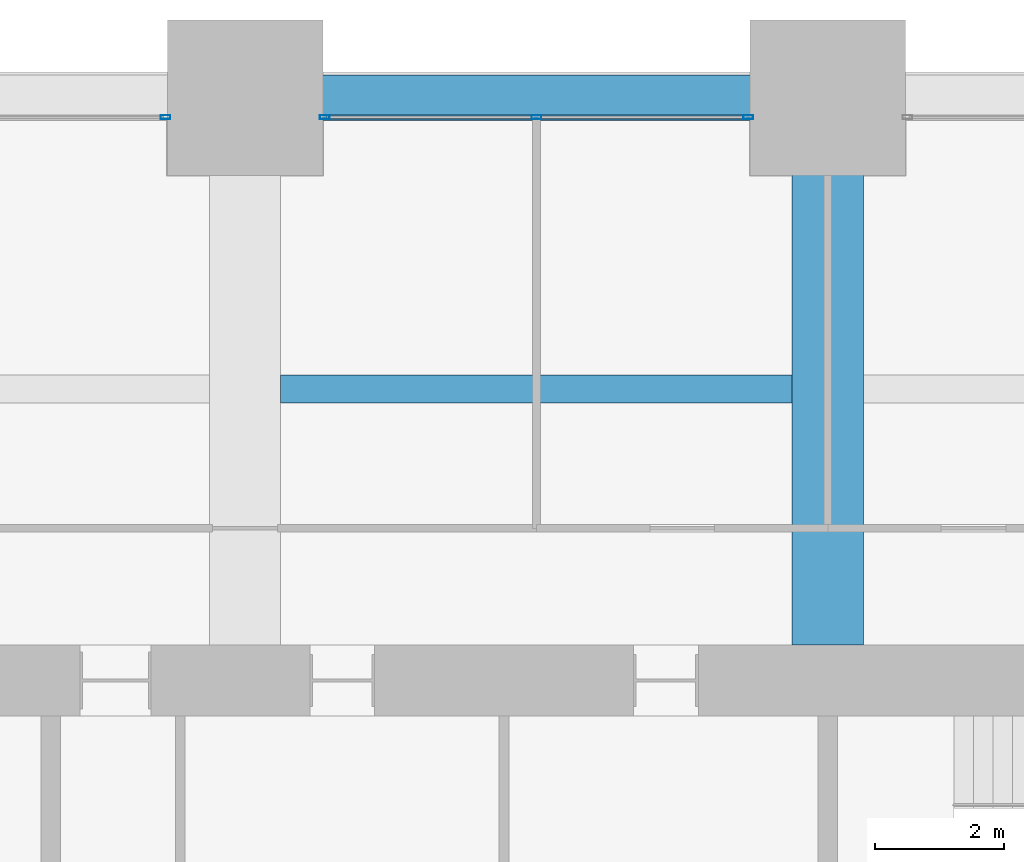
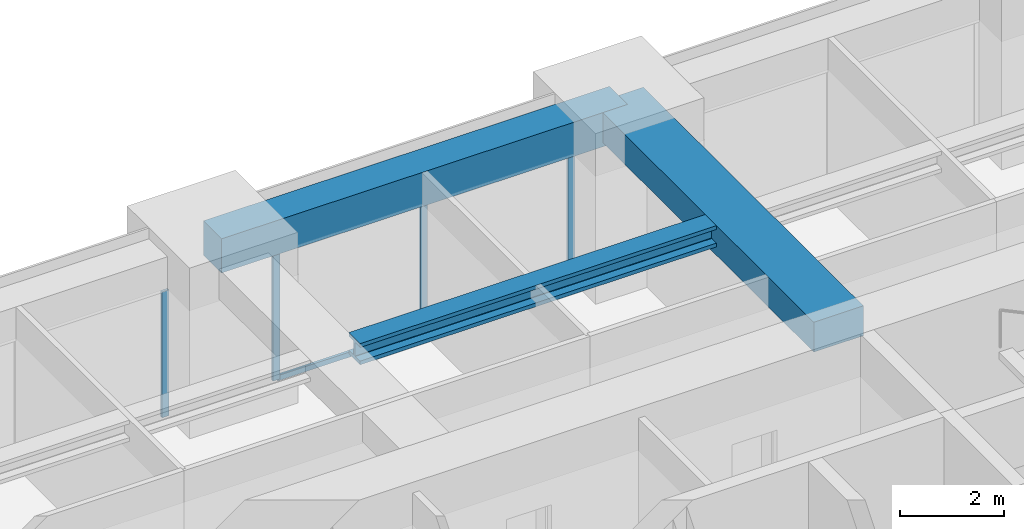
# One storey, part 29 of 41: 5 members, 3 beams, 2 elements without a shape of their own.
"""IFC4 building model written with IfcOpenShell, lengths in metres."""

from ifc_helpers import new_model, si_unit, direction, frame, origin, origin_2d, place, context, subcontext, project, spatial, rectangle, hollow_rectangle, i_section, extrude, material, material_profile, profile_set, type_object, element, aggregate, save


model = new_model("IFC4")

# Units and contexts
model_context = context("Model", 3, precision=1e-05, world=origin(), true_north=direction((0.0, 1.0)))
body_context = subcontext(model_context, "Body", "Model", "MODEL_VIEW")
ifc_project = project(units=[si_unit("LENGTHUNIT", "METRE"), si_unit("AREAUNIT", "SQUARE_METRE"), si_unit("VOLUMEUNIT", "CUBIC_METRE"), si_unit("PLANEANGLEUNIT", "RADIAN"), si_unit("MASSUNIT", "GRAM", prefix="KILO")], contexts=[model_context])

# Site, building, storey
site_placement = place(None, origin())
site = spatial("IfcSite", under=ifc_project, at=site_placement, CompositionType="ELEMENT")
building_placement = place(site_placement, origin())
building = spatial("IfcBuilding", under=site, at=building_placement, Name="Zorevar Civic Tower", CompositionType="ELEMENT")
storey_placement = place(building_placement, frame((0.0, 0.0, 109.0)))
storey = spatial("IfcBuildingStorey", under=building, at=storey_placement, Name="L26", CompositionType="ELEMENT", Elevation=109.0)

# Beam
ifc_material_1 = material(Name="Concrete C50/60", Category="concrete")
ifc_material_profile_1 = material_profile(ifc_material_1, rectangle(XDim=1.10009765625, YDim=0.699951171875, at=origin_2d()), Name="RC 1100x700")
ifc_profile_set_1 = profile_set([ifc_material_profile_1], Name="Concrete C50/60")
beam_type_1 = type_object("IfcBeamType", Name="Beam RC 1100x700", PredefinedType="BEAM", material=ifc_profile_set_1)
beam_1_placement = place(storey_placement, frame((36.0, 36.550048828125, 3.39990234375), z_axis=(0.0, 1.0, 0.0), x_axis=(-1.0, 0.0, 0.0)))
element("IfcBeam", 1, at=beam_1_placement, inside=storey, type_object=beam_type_1, Name="Girder L27", PredefinedType="BEAM", context=body_context, shape_type="SweptSolid", body=[
    extrude(rectangle(XDim=1.10009765625, YDim=0.699951171875, at=origin_2d()), origin(), (0.0, 0.0, 1.0), 8.449951171875),
])

# Curtain wall, member
ifc_material_2 = material(Name="Dark grey solar-control glass in black aluminium frame", Category="aluminium")
curtain_wall_type = type_object("IfcCurtainWallType", Name="Curtain wall CW3 mid zone", PredefinedType="NOTDEFINED", material=ifc_material_2)
curtain_wall_1_placement = place(storey_placement, origin())
curtain_wall_1 = element("IfcCurtainWall", 2, at=curtain_wall_1_placement, inside=storey, type_object=curtain_wall_type, Name="CW3 L26", PredefinedType="NOTDEFINED")
ifc_material_3 = material(Name="Aluminium, black anodised", Category="aluminium")
ifc_material_profile_2 = material_profile(ifc_material_3, hollow_rectangle(XDim=0.06005859375, YDim=0.14990234375, WallThickness=0.00390625, at=origin_2d()), Name="AL 150x60x4")
ifc_profile_set_2 = profile_set([ifc_material_profile_2], Name="Aluminium, black anodised")
member_type_1 = type_object("IfcMemberType", Name="CW3 mullion AL 150x60x4", PredefinedType="MULLION", material=ifc_profile_set_2)
member_1_placement = place(storey_placement, frame((25.77001953125, 44.699951171875, 0.0), z_axis=(0.0, 0.0, 1.0), x_axis=(0.0, 1.0, 0.0)))
member_1 = element("IfcMember", 3, at=member_1_placement, type_object=member_type_1, Name="CW3 mullion 3", PredefinedType="MULLION", context=body_context, shape_type="SweptSolid", body=[
    extrude(hollow_rectangle(XDim=0.06005859375, YDim=0.14990234375, WallThickness=0.00390625, at=origin_2d()), origin(), (0.0, 0.0, 1.0), 2.949951171875),
])
aggregate(curtain_wall_1, [member_1])

# Curtain wall, members
curtain_wall_2_placement = place(storey_placement, origin())
curtain_wall_2 = element("IfcCurtainWall", 4, at=curtain_wall_2_placement, inside=storey, type_object=curtain_wall_type, Name="CW3 L26", PredefinedType="NOTDEFINED")
member_2_placement = place(storey_placement, frame((28.22998046875, 44.699951171875, 0.0), z_axis=(0.0, 0.0, 1.0), x_axis=(0.0, 1.0, 0.0)))
member_2 = element("IfcMember", 5, at=member_2_placement, type_object=member_type_1, Name="CW3 mullion 1", PredefinedType="MULLION", context=body_context, shape_type="SweptSolid", body=[
    extrude(hollow_rectangle(XDim=0.06005859375, YDim=0.14990234375, WallThickness=0.00390625, at=origin_2d()), origin(), (0.0, 0.0, 1.0), 2.949951171875),
])
member_3_placement = place(storey_placement, frame((31.5, 44.699951171875, 0.06005859375), z_axis=(0.0, 0.0, 1.0), x_axis=(0.0, 1.0, 0.0)))
member_3 = element("IfcMember", 6, at=member_3_placement, type_object=member_type_1, Name="CW3 mullion 2", PredefinedType="MULLION", context=body_context, shape_type="SweptSolid", body=[
    extrude(hollow_rectangle(XDim=0.06005859375, YDim=0.14990234375, WallThickness=0.00390625, at=origin_2d()), origin(), (0.0, 0.0, 1.0), 2.889892578125),
])
member_4_placement = place(storey_placement, frame((34.77001953125, 44.699951171875, 0.0), z_axis=(0.0, 0.0, 1.0), x_axis=(0.0, 1.0, 0.0)))
member_4 = element("IfcMember", 7, at=member_4_placement, type_object=member_type_1, Name="CW3 mullion 3", PredefinedType="MULLION", context=body_context, shape_type="SweptSolid", body=[
    extrude(hollow_rectangle(XDim=0.06005859375, YDim=0.14990234375, WallThickness=0.00390625, at=origin_2d()), origin(), (0.0, 0.0, 1.0), 2.949951171875),
])
ifc_material_4 = material(Name="Aluminium, black anodised", Category="aluminium")
ifc_material_profile_3 = material_profile(ifc_material_4, hollow_rectangle(XDim=0.06005859375, YDim=0.1201171875, WallThickness=0.0029296875, at=origin_2d()), Name="AL 120x60x3")
ifc_profile_set_3 = profile_set([ifc_material_profile_3], Name="Aluminium, black anodised")
member_type_2 = type_object("IfcMemberType", Name="CW3 transom AL 120x60x3", PredefinedType="USERDEFINED", material=ifc_profile_set_3)
member_5_placement = place(storey_placement, frame((28.260009765625, 44.699951171875, 0.030029296875), z_axis=(1.0, 0.0, 0.0), x_axis=(0.0, 1.0, 0.0)))
member_5 = element("IfcMember", 8, at=member_5_placement, type_object=member_type_2, Name="CW3 sill transom", ObjectType="TRANSOM", PredefinedType="USERDEFINED", context=body_context, shape_type="SweptSolid", body=[
    extrude(hollow_rectangle(XDim=0.06005859375, YDim=0.1201171875, WallThickness=0.0029296875, at=origin_2d()), origin(), (0.0, 0.0, 1.0), 6.47998046875),
])
aggregate(curtain_wall_2, [member_2, member_3, member_4, member_5])

# Beams
ifc_material_5 = material(Name="Steel S460M (HISTAR 460)", Category="steel")
ifc_material_profile_4 = material_profile(ifc_material_5, i_section(OverallWidth=0.431884765625, OverallDepth=0.498046875, WebThickness=0.0556640625, FlangeThickness=0.0888671875, FilletRadius=0.014892578125, at=origin_2d()), Name="HD 400x744")
ifc_profile_set_4 = profile_set([ifc_material_profile_4], Name="Steel S460M (HISTAR 460)")
beam_type_2 = type_object("IfcBeamType", Name="Core bay beam HD 400x744", PredefinedType="BEAM", material=ifc_profile_set_4)
beam_2_placement = place(storey_placement, frame((27.550048828125, 40.5, 3.5009765625), z_axis=(1.0, 0.0, 0.0), x_axis=(0.0, 1.0, 0.0)))
element("IfcBeam", 9, at=beam_2_placement, inside=storey, type_object=beam_type_2, Name="Secondary beam L27", PredefinedType="BEAM", context=body_context, shape_type="SweptSolid", body=[
    extrude(i_section(OverallWidth=0.431884765625, OverallDepth=0.498046875, WebThickness=0.0556640625, FlangeThickness=0.0888671875, FilletRadius=0.014892578125, at=origin_2d()), origin(), (0.0, 0.0, 1.0), 7.89990234375),
])
ifc_material_6 = material(Name="Concrete C50/60", Category="concrete")
ifc_material_profile_5 = material_profile(ifc_material_6, rectangle(XDim=0.699951171875, YDim=0.800048828125, at=origin_2d()), Name="RC 700x800")
ifc_profile_set_5 = profile_set([ifc_material_profile_5], Name="Concrete C50/60")
beam_type_3 = type_object("IfcBeamType", Name="Edge beam RC 700x800", PredefinedType="SPANDREL", material=ifc_profile_set_5)
beam_3_placement = place(storey_placement, frame((27.0, 45.0, 3.35009765625), z_axis=(1.0, 0.0, 0.0), x_axis=(0.0, 1.0, 0.0)))
element("IfcBeam", 10, at=beam_3_placement, inside=storey, type_object=beam_type_3, Name="Edge beam L27", PredefinedType="SPANDREL", context=body_context, shape_type="SweptSolid", body=[
    extrude(rectangle(XDim=0.699951171875, YDim=0.800048828125, at=origin_2d()), origin(), (0.0, 0.0, 1.0), 9.0),
])

save(model, "model.ifc")
